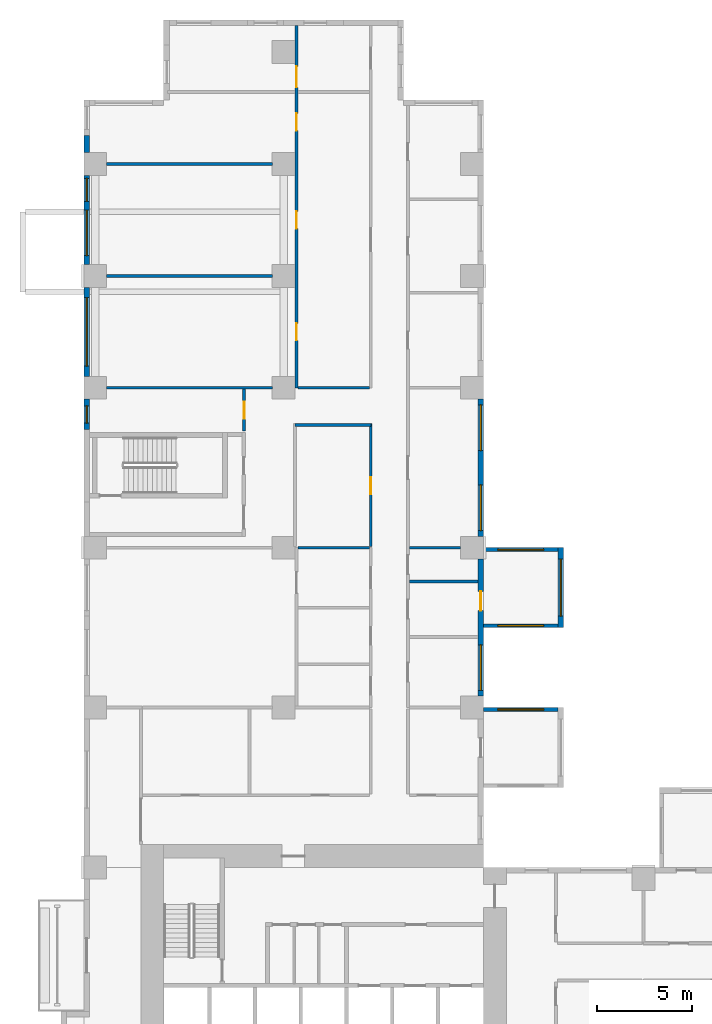
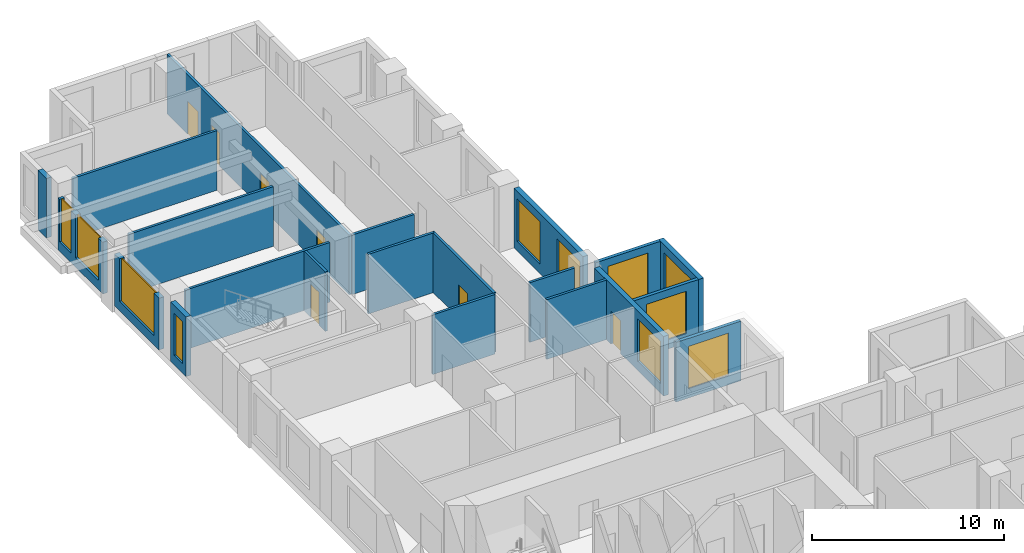
# One storey, part 7 of 15: 21 walls, 11 windows, 7 doors, 18 openings.
"""IFC4 building model written with IfcOpenShell, lengths in metres."""

from ifc_helpers import new_model, si_unit, direction, frame, frame_2d, origin, place, context, subcontext, project, spatial, rectangle, extrude, source, transform, mapped, material, layer, layer_set, type_object, element, fill, save


model = new_model("IFC4")

# Units and contexts
model_context = context("Model", 3, precision=1e-05, world=origin(), true_north=direction((0.0, 1.0)))
body_context = subcontext(model_context, "Body", "Model", "MODEL_VIEW")
ifc_project = project(units=[si_unit("LENGTHUNIT", "METRE"), si_unit("AREAUNIT", "SQUARE_METRE"), si_unit("VOLUMEUNIT", "CUBIC_METRE"), si_unit("PLANEANGLEUNIT", "RADIAN"), si_unit("MASSUNIT", "GRAM", prefix="KILO")], contexts=[model_context])

# Site, building, storey
site_placement = place(None, origin())
site = spatial("IfcSite", under=ifc_project, at=site_placement, CompositionType="ELEMENT")
building_placement = place(site_placement, origin())
building = spatial("IfcBuilding", under=site, at=building_placement, Name="Aurelian Terraces", CompositionType="ELEMENT")
storey_placement = place(building_placement, frame((0.0, 0.0, 65.7)))
storey = spatial("IfcBuildingStorey", under=building, at=storey_placement, Name="L13", CompositionType="ELEMENT", Elevation=65.7)

# Wall
ifc_material_1 = material(Name="Terracotta rainscreen cladding", Category="masonry")
ifc_layer_1 = layer(ifc_material_1, 0.3)
ifc_layer_set_1 = layer_set([ifc_layer_1], Name="EW-300")
wall_type_1 = type_object("IfcWallType", Name="EW-300", PredefinedType="STANDARD", material=ifc_layer_set_1)
wall_1_placement = place(storey_placement, frame((0.15, 59.44, 0.0), z_axis=(0.0, 0.0, 1.0), x_axis=(0.0, -1.0, 0.0)))
element("IfcWall", 1, at=wall_1_placement, inside=storey, type_object=wall_type_1, Name="External wall L13 F14.38", PredefinedType="STANDARD", context=body_context, shape_type="SweptSolid", body=[
    extrude(rectangle(XDim=0.88, YDim=0.3, at=frame_2d((0.44, 0.0))), origin(), (0.0, 0.0, 1.0), 3.8),
])

# Wall, openings, window, door
shared_shape_1 = source(origin(), body_context, "Body", "SweptSolid", [
    extrude(rectangle(XDim=7.2, YDim=0.3, at=frame_2d((3.6, 0.0))), origin(), (0.0, 0.0, 1.0), 3.8),
])
wall_2_placement = place(storey_placement, frame((20.85, 30.0, 0.0), z_axis=(0.0, 0.0, 1.0), x_axis=(0.0, 1.0, 0.0)))
wall_2 = element("IfcWall", 2, at=wall_2_placement, inside=storey, type_object=wall_type_1, Name="External wall L13 F08.25", PredefinedType="STANDARD", context=body_context, shape_type="MappedRepresentation", body=[
    mapped(shared_shape_1, transform((0.0, 0.0, 0.0), scale=1.0)),
])
shared_shape_2 = source(origin(), body_context, "Body", "SweptSolid", [
    extrude(rectangle(XDim=2.4, YDim=2.7, at=frame_2d((1.2, 1.35))), frame((0.0, 0.16, 0.0), z_axis=(0.0, -1.0, 0.0), x_axis=(1.0, 0.0, 0.0)), (0.0, 0.0, 1.0), 0.32),
])
opening_1_placement = place(wall_2_placement, frame((0.3, 0.0, 0.6)))
opening_1 = element("IfcOpeningElement", 3, at=opening_1_placement, cuts=wall_2, Name="Opening W2427", PredefinedType="OPENING", context=body_context, shape_type="MappedRepresentation", body=[
    mapped(shared_shape_2, transform((0.0, 0.0, 0.0), scale=1.0)),
])
shared_shape_3 = source(origin(), body_context, "Body", "SweptSolid", [
    extrude(rectangle(XDim=1.0, YDim=2.1, at=frame_2d((0.5, 1.05))), frame((0.0, 0.16, 0.0), z_axis=(0.0, -1.0, 0.0), x_axis=(1.0, 0.0, 0.0)), (0.0, 0.0, 1.0), 0.32),
])
opening_2_placement = place(wall_2_placement, frame((4.5, 0.0, 0.0)))
opening_2 = element("IfcOpeningElement", 4, at=opening_2_placement, cuts=wall_2, Name="Opening 813004", PredefinedType="OPENING", context=body_context, shape_type="MappedRepresentation", body=[
    mapped(shared_shape_3, transform((0.0, 0.0, 0.0), scale=1.0)),
])
ifc_material_2 = material(Name="Clear glazing", Category="glass")
window_type_1 = type_object("IfcWindowType", Name="W-2400x2700", PartitioningType="SINGLE_PANEL", PredefinedType="WINDOW", material=ifc_material_2)
shared_shape_4 = source(origin(), body_context, "Body", "SweptSolid", [
    extrude(rectangle(XDim=2.4, YDim=2.7, at=frame_2d((1.2, 1.35))), frame((0.0, 0.03, 0.0), z_axis=(0.0, -1.0, 0.0), x_axis=(1.0, 0.0, 0.0)), (0.0, 0.0, 1.0), 0.06),
])
window_1_placement = place(opening_1_placement, origin())
window_1 = element("IfcWindow", 5, at=window_1_placement, inside=storey, type_object=window_type_1, Name="Window L13 L13-F08-25-0", OverallHeight=2.7, OverallWidth=2.4, PartitioningType="SINGLE_PANEL", PredefinedType="WINDOW", context=body_context, shape_type="MappedRepresentation", body=[
    mapped(shared_shape_4, transform((0.0, 0.0, 0.0), scale=1.0)),
])
fill(opening_1, window_1)
ifc_material_3 = material(Name="Timber door leaf", Category="wood")
door_type_1 = type_object("IfcDoorType", Name="Room door 1000x2100 left", OperationType="SINGLE_SWING_LEFT", PredefinedType="DOOR", material=ifc_material_3)
shared_shape_5 = source(origin(), body_context, "Body", "SweptSolid", [
    extrude(rectangle(XDim=1.0, YDim=2.1, at=frame_2d((0.5, 1.05))), frame((0.0, 0.025, 0.0), z_axis=(0.0, -1.0, 0.0), x_axis=(1.0, 0.0, 0.0)), (0.0, 0.0, 1.0), 0.05),
])
door_1_placement = place(opening_2_placement, origin())
door_1 = element("IfcDoor", 6, at=door_1_placement, inside=storey, type_object=door_type_1, Name="Door 813004", OperationType="SINGLE_SWING_LEFT", OverallHeight=2.1, OverallWidth=1.0, PredefinedType="DOOR", context=body_context, shape_type="MappedRepresentation", body=[
    mapped(shared_shape_5, transform((0.0, 0.0, 0.0), scale=1.0)),
])
fill(opening_2, door_1)

# Wall, openings, windows
wall_3_placement = place(storey_placement, frame((20.85, 38.4, 0.0), z_axis=(0.0, 0.0, 1.0), x_axis=(0.0, 1.0, 0.0)))
wall_3 = element("IfcWall", 7, at=wall_3_placement, inside=storey, type_object=wall_type_1, Name="External wall L13 F08.26", PredefinedType="STANDARD", context=body_context, shape_type="MappedRepresentation", body=[
    mapped(shared_shape_1, transform((0.0, 0.0, 0.0), scale=1.0)),
])
opening_3_placement = place(wall_3_placement, frame((0.3, 0.0, 0.6)))
opening_3 = element("IfcOpeningElement", 8, at=opening_3_placement, cuts=wall_3, Name="Opening W2427", PredefinedType="OPENING", context=body_context, shape_type="MappedRepresentation", body=[
    mapped(shared_shape_2, transform((0.0, 0.0, 0.0), scale=1.0)),
])
opening_4_placement = place(wall_3_placement, frame((4.5, 0.0, 0.6)))
opening_4 = element("IfcOpeningElement", 9, at=opening_4_placement, cuts=wall_3, Name="Opening W2427", PredefinedType="OPENING", context=body_context, shape_type="MappedRepresentation", body=[
    mapped(shared_shape_2, transform((0.0, 0.0, 0.0), scale=1.0)),
])
window_2_placement = place(opening_3_placement, origin())
window_2 = element("IfcWindow", 10, at=window_2_placement, inside=storey, type_object=window_type_1, Name="Window L13 L13-F08-26-0", OverallHeight=2.7, OverallWidth=2.4, PartitioningType="SINGLE_PANEL", PredefinedType="WINDOW", context=body_context, shape_type="MappedRepresentation", body=[
    mapped(shared_shape_4, transform((0.0, 0.0, 0.0), scale=1.0)),
])
fill(opening_3, window_2)
window_3_placement = place(opening_4_placement, origin())
window_3 = element("IfcWindow", 11, at=window_3_placement, inside=storey, type_object=window_type_1, Name="Window L13 L13-F08-26-1", OverallHeight=2.7, OverallWidth=2.4, PartitioningType="SINGLE_PANEL", PredefinedType="WINDOW", context=body_context, shape_type="MappedRepresentation", body=[
    mapped(shared_shape_4, transform((0.0, 0.0, 0.0), scale=1.0)),
])
fill(opening_4, window_3)

shared_shape_6 = source(origin(), body_context, "Body", "SweptSolid", [
    extrude(rectangle(XDim=4.68, YDim=0.3, at=frame_2d((2.34, 0.0))), origin(), (0.0, 0.0, 1.0), 3.3),
])
wall_4_placement = place(storey_placement, frame((0.15, 57.36, 0.0), z_axis=(0.0, 0.0, 1.0), x_axis=(0.0, -1.0, 0.0)))
wall_4 = element("IfcWall", 12, at=wall_4_placement, inside=storey, type_object=wall_type_1, Name="External wall L13 F14.38", PredefinedType="STANDARD", context=body_context, shape_type="MappedRepresentation", body=[
    mapped(shared_shape_6, transform((0.0, 0.0, 0.0), scale=1.0)),
])
shared_shape_7 = source(origin(), body_context, "Body", "SweptSolid", [
    extrude(rectangle(XDim=1.2, YDim=2.7, at=frame_2d((0.6, 1.35))), frame((0.0, 0.16, 0.0), z_axis=(0.0, -1.0, 0.0), x_axis=(1.0, 0.0, 0.0)), (0.0, 0.0, 1.0), 0.32),
])
opening_5_placement = place(wall_4_placement, frame((0.165, 0.0, 0.6)))
opening_5 = element("IfcOpeningElement", 13, at=opening_5_placement, cuts=wall_4, Name="Opening W1227", PredefinedType="OPENING", context=body_context, shape_type="MappedRepresentation", body=[
    mapped(shared_shape_7, transform((0.0, 0.0, 0.0), scale=1.0)),
])
opening_6_placement = place(wall_4_placement, frame((1.8225, 0.0, 0.6)))
opening_6 = element("IfcOpeningElement", 14, at=opening_6_placement, cuts=wall_4, Name="Opening W2427", PredefinedType="OPENING", context=body_context, shape_type="MappedRepresentation", body=[
    mapped(shared_shape_2, transform((0.0, 0.0, 0.0), scale=1.0)),
])
window_4_placement = place(opening_6_placement, origin())
window_4 = element("IfcWindow", 15, at=window_4_placement, inside=storey, type_object=window_type_1, Name="Window L13 L13-F14-38-G2-53", OverallHeight=2.7, OverallWidth=2.4, PartitioningType="SINGLE_PANEL", PredefinedType="WINDOW", context=body_context, shape_type="MappedRepresentation", body=[
    mapped(shared_shape_4, transform((0.0, 0.0, 0.0), scale=1.0)),
])
fill(opening_6, window_4)
window_type_2 = type_object("IfcWindowType", Name="W-1200x2700", PartitioningType="SINGLE_PANEL", PredefinedType="WINDOW", material=ifc_material_2)
shared_shape_8 = source(origin(), body_context, "Body", "SweptSolid", [
    extrude(rectangle(XDim=1.2, YDim=2.7, at=frame_2d((0.6, 1.35))), frame((0.0, 0.03, 0.0), z_axis=(0.0, -1.0, 0.0), x_axis=(1.0, 0.0, 0.0)), (0.0, 0.0, 1.0), 0.06),
])
window_5_placement = place(opening_5_placement, origin())
window_5 = element("IfcWindow", 16, at=window_5_placement, inside=storey, type_object=window_type_2, Name="Window L13 L13-F14-38-1", OverallHeight=2.7, OverallWidth=1.2, PartitioningType="SINGLE_PANEL", PredefinedType="WINDOW", context=body_context, shape_type="MappedRepresentation", body=[
    mapped(shared_shape_8, transform((0.0, 0.0, 0.0), scale=1.0)),
])
fill(opening_5, window_5)

# Wall, opening, window
wall_5_placement = place(storey_placement, frame((0.15, 51.48, 0.0), z_axis=(0.0, 0.0, 1.0), x_axis=(0.0, -1.0, 0.0)))
wall_5 = element("IfcWall", 17, at=wall_5_placement, inside=storey, type_object=wall_type_1, Name="External wall L13 F14.38", PredefinedType="STANDARD", context=body_context, shape_type="MappedRepresentation", body=[
    mapped(shared_shape_6, transform((0.0, 0.0, 0.0), scale=1.0)),
])
shared_shape_9 = source(origin(), body_context, "Body", "SweptSolid", [
    extrude(rectangle(XDim=3.6, YDim=2.7, at=frame_2d((1.8, 1.35))), frame((0.0, 0.16, 0.0), z_axis=(0.0, -1.0, 0.0), x_axis=(1.0, 0.0, 0.0)), (0.0, 0.0, 1.0), 0.32),
])
opening_7_placement = place(wall_5_placement, frame((0.54, 0.0, 0.6)))
opening_7 = element("IfcOpeningElement", 18, at=opening_7_placement, cuts=wall_5, Name="Opening W3627", PredefinedType="OPENING", context=body_context, shape_type="MappedRepresentation", body=[
    mapped(shared_shape_9, transform((0.0, 0.0, 0.0), scale=1.0)),
])
window_type_3 = type_object("IfcWindowType", Name="W-3600x2700", PartitioningType="SINGLE_PANEL", PredefinedType="WINDOW", material=ifc_material_2)
shared_shape_10 = source(origin(), body_context, "Body", "SweptSolid", [
    extrude(rectangle(XDim=3.6, YDim=2.7, at=frame_2d((1.8, 1.35))), frame((0.0, 0.03, 0.0), z_axis=(0.0, -1.0, 0.0), x_axis=(1.0, 0.0, 0.0)), (0.0, 0.0, 1.0), 0.06),
])
window_6_placement = place(opening_7_placement, origin())
window_6 = element("IfcWindow", 19, at=window_6_placement, inside=storey, type_object=window_type_3, Name="Window L13 L13-F14-38-P3", OverallHeight=2.7, OverallWidth=3.6, PartitioningType="SINGLE_PANEL", PredefinedType="WINDOW", context=body_context, shape_type="MappedRepresentation", body=[
    mapped(shared_shape_10, transform((0.0, 0.0, 0.0), scale=1.0)),
])
fill(opening_7, window_6)

shared_shape_11 = source(origin(), body_context, "Body", "SweptSolid", [
    extrude(rectangle(XDim=1.6, YDim=0.3, at=frame_2d((0.8, 0.0))), origin(), (0.0, 0.0, 1.0), 3.8),
])
wall_6_placement = place(storey_placement, frame((0.15, 45.6, 0.0), z_axis=(0.0, 0.0, 1.0), x_axis=(0.0, -1.0, 0.0)))
wall_6 = element("IfcWall", 20, at=wall_6_placement, inside=storey, type_object=wall_type_1, Name="External wall L13 F14.38", PredefinedType="STANDARD", context=body_context, shape_type="MappedRepresentation", body=[
    mapped(shared_shape_11, transform((0.0, 0.0, 0.0), scale=1.0)),
])
shared_shape_12 = source(origin(), body_context, "Body", "SweptSolid", [
    extrude(rectangle(XDim=0.9, YDim=2.7, at=frame_2d((0.45, 1.35))), frame((0.0, 0.16, 0.0), z_axis=(0.0, -1.0, 0.0), x_axis=(1.0, 0.0, 0.0)), (0.0, 0.0, 1.0), 0.32),
])
opening_8_placement = place(wall_6_placement, frame((0.35, 0.0, 0.6)))
opening_8 = element("IfcOpeningElement", 21, at=opening_8_placement, cuts=wall_6, Name="Opening W0927", PredefinedType="OPENING", context=body_context, shape_type="MappedRepresentation", body=[
    mapped(shared_shape_12, transform((0.0, 0.0, 0.0), scale=1.0)),
])
window_type_4 = type_object("IfcWindowType", Name="W-900x2700", PartitioningType="SINGLE_PANEL", PredefinedType="WINDOW", material=ifc_material_2)
shared_shape_13 = source(origin(), body_context, "Body", "SweptSolid", [
    extrude(rectangle(XDim=0.9, YDim=2.7, at=frame_2d((0.45, 1.35))), frame((0.0, 0.03, 0.0), z_axis=(0.0, -1.0, 0.0), x_axis=(1.0, 0.0, 0.0)), (0.0, 0.0, 1.0), 0.06),
])
window_7_placement = place(opening_8_placement, origin())
window_7 = element("IfcWindow", 22, at=window_7_placement, inside=storey, type_object=window_type_4, Name="Window L13 L13-F14-38-P4", OverallHeight=2.7, OverallWidth=0.9, PartitioningType="SINGLE_PANEL", PredefinedType="WINDOW", context=body_context, shape_type="MappedRepresentation", body=[
    mapped(shared_shape_13, transform((0.0, 0.0, 0.0), scale=1.0)),
])
fill(opening_8, window_7)

ifc_material_4 = material(Name="Concrete fc' 40 MPa", Category="concrete")
ifc_layer_2 = layer(ifc_material_4, 0.2)
ifc_layer_set_2 = layer_set([ifc_layer_2], Name="BOX BEARING WALL 200")
wall_type_2 = type_object("IfcWallType", Name="BOX BEARING WALL 200", PredefinedType="SOLIDWALL", material=ifc_layer_set_2)
shared_shape_14 = source(origin(), body_context, "Body", "SweptSolid", [
    extrude(rectangle(XDim=3.9, YDim=0.2, at=frame_2d((1.95, 0.0))), origin(), (0.0, 0.0, 1.0), 3.79),
])
wall_7_placement = place(storey_placement, frame((21.0, 33.7, 0.0), z_axis=(0.0, 0.0, 1.0), x_axis=(1.0, 0.0, 0.0)))
wall_7 = element("IfcWall", 23, at=wall_7_placement, inside=storey, type_object=wall_type_2, Name="Box return L13 J14.1", PredefinedType="SOLIDWALL", context=body_context, shape_type="MappedRepresentation", body=[
    mapped(shared_shape_14, transform((0.0, 0.0, 0.0), scale=1.0)),
])
shared_shape_15 = source(origin(), body_context, "Body", "SweptSolid", [
    extrude(rectangle(XDim=2.4, YDim=2.7, at=frame_2d((1.2, 1.35))), frame((0.0, 0.11, 0.0), z_axis=(0.0, -1.0, 0.0), x_axis=(1.0, 0.0, 0.0)), (0.0, 0.0, 1.0), 0.22),
])
opening_9_placement = place(wall_7_placement, frame((0.75, 0.0, 0.6)))
opening_9 = element("IfcOpeningElement", 24, at=opening_9_placement, cuts=wall_7, Name="Opening W2427", PredefinedType="OPENING", context=body_context, shape_type="MappedRepresentation", body=[
    mapped(shared_shape_15, transform((0.0, 0.0, 0.0), scale=1.0)),
])
window_8_placement = place(opening_9_placement, origin())
window_8 = element("IfcWindow", 25, at=window_8_placement, inside=storey, type_object=window_type_1, Name="Window L13 J14-S1", OverallHeight=2.7, OverallWidth=2.4, PartitioningType="SINGLE_PANEL", PredefinedType="WINDOW", context=body_context, shape_type="MappedRepresentation", body=[
    mapped(shared_shape_4, transform((0.0, 0.0, 0.0), scale=1.0)),
])
fill(opening_9, window_8)

wall_8_placement = place(storey_placement, frame((21.0, 37.7, 0.0), z_axis=(0.0, 0.0, 1.0), x_axis=(1.0, 0.0, 0.0)))
wall_8 = element("IfcWall", 26, at=wall_8_placement, inside=storey, type_object=wall_type_2, Name="Box return L13 J14.2", PredefinedType="SOLIDWALL", context=body_context, shape_type="MappedRepresentation", body=[
    mapped(shared_shape_14, transform((0.0, 0.0, 0.0), scale=1.0)),
])
opening_10_placement = place(wall_8_placement, frame((0.75, 0.0, 0.6)))
opening_10 = element("IfcOpeningElement", 27, at=opening_10_placement, cuts=wall_8, Name="Opening W2427", PredefinedType="OPENING", context=body_context, shape_type="MappedRepresentation", body=[
    mapped(shared_shape_15, transform((0.0, 0.0, 0.0), scale=1.0)),
])
window_9_placement = place(opening_10_placement, origin())
window_9 = element("IfcWindow", 28, at=window_9_placement, inside=storey, type_object=window_type_1, Name="Window L13 J14-S2", OverallHeight=2.7, OverallWidth=2.4, PartitioningType="SINGLE_PANEL", PredefinedType="WINDOW", context=body_context, shape_type="MappedRepresentation", body=[
    mapped(shared_shape_4, transform((0.0, 0.0, 0.0), scale=1.0)),
])
fill(opening_10, window_9)

shared_shape_16 = source(origin(), body_context, "Body", "SweptSolid", [
    extrude(rectangle(XDim=3.9, YDim=0.2, at=frame_2d((1.95, 0.0))), origin(), (0.0, 0.0, 1.0), 3.8),
])
wall_9_placement = place(storey_placement, frame((21.0, 29.3, 0.0), z_axis=(0.0, 0.0, 1.0), x_axis=(1.0, 0.0, 0.0)))
wall_9 = element("IfcWall", 29, at=wall_9_placement, inside=storey, type_object=wall_type_2, Name="Box return L13 J11.2", PredefinedType="SOLIDWALL", context=body_context, shape_type="MappedRepresentation", body=[
    mapped(shared_shape_16, transform((0.0, 0.0, 0.0), scale=1.0)),
])
opening_11_placement = place(wall_9_placement, frame((0.75, 0.0, 0.6)))
opening_11 = element("IfcOpeningElement", 30, at=opening_11_placement, cuts=wall_9, Name="Opening W2427", PredefinedType="OPENING", context=body_context, shape_type="MappedRepresentation", body=[
    mapped(shared_shape_15, transform((0.0, 0.0, 0.0), scale=1.0)),
])
window_10_placement = place(opening_11_placement, origin())
window_10 = element("IfcWindow", 31, at=window_10_placement, inside=storey, type_object=window_type_1, Name="Window L13 J11-S2", OverallHeight=2.7, OverallWidth=2.4, PartitioningType="SINGLE_PANEL", PredefinedType="WINDOW", context=body_context, shape_type="MappedRepresentation", body=[
    mapped(shared_shape_4, transform((0.0, 0.0, 0.0), scale=1.0)),
])
fill(opening_11, window_10)

ifc_layer_3 = layer(ifc_material_4, 0.3)
ifc_layer_set_3 = layer_set([ifc_layer_3], Name="BOX BEARING WALL 300")
wall_type_3 = type_object("IfcWallType", Name="BOX BEARING WALL 300", PredefinedType="SOLIDWALL", material=ifc_layer_set_3)
shared_shape_17 = source(origin(), body_context, "Body", "SweptSolid", [
    extrude(rectangle(XDim=4.2, YDim=0.3, at=frame_2d((2.1, 0.0))), origin(), (0.0, 0.0, 1.0), 3.79),
])
wall_10_placement = place(storey_placement, frame((25.05, 33.6, 0.0), z_axis=(0.0, 0.0, 1.0), x_axis=(0.0, 1.0, 0.0)))
wall_10 = element("IfcWall", 32, at=wall_10_placement, inside=storey, type_object=wall_type_3, Name="Box wall L13 J14", PredefinedType="SOLIDWALL", context=body_context, shape_type="MappedRepresentation", body=[
    mapped(shared_shape_17, transform((0.0, 0.0, 0.0), scale=1.0)),
])
shared_shape_18 = source(origin(), body_context, "Body", "SweptSolid", [
    extrude(rectangle(XDim=3.0, YDim=2.7, at=frame_2d((1.5, 1.35))), frame((0.0, 0.16, 0.0), z_axis=(0.0, -1.0, 0.0), x_axis=(1.0, 0.0, 0.0)), (0.0, 0.0, 1.0), 0.32),
])
opening_12_placement = place(wall_10_placement, frame((0.6, 0.0, 0.6)))
opening_12 = element("IfcOpeningElement", 33, at=opening_12_placement, cuts=wall_10, Name="Opening W3027", PredefinedType="OPENING", context=body_context, shape_type="MappedRepresentation", body=[
    mapped(shared_shape_18, transform((0.0, 0.0, 0.0), scale=1.0)),
])
window_type_5 = type_object("IfcWindowType", Name="W-3000x2700", PartitioningType="SINGLE_PANEL", PredefinedType="WINDOW", material=ifc_material_2)
shared_shape_19 = source(origin(), body_context, "Body", "SweptSolid", [
    extrude(rectangle(XDim=3.0, YDim=2.7, at=frame_2d((1.5, 1.35))), frame((0.0, 0.03, 0.0), z_axis=(0.0, -1.0, 0.0), x_axis=(1.0, 0.0, 0.0)), (0.0, 0.0, 1.0), 0.06),
])
window_11_placement = place(opening_12_placement, origin())
window_11 = element("IfcWindow", 34, at=window_11_placement, inside=storey, type_object=window_type_5, Name="Window L13 J14-F1", OverallHeight=2.7, OverallWidth=3.0, PartitioningType="SINGLE_PANEL", PredefinedType="WINDOW", context=body_context, shape_type="MappedRepresentation", body=[
    mapped(shared_shape_19, transform((0.0, 0.0, 0.0), scale=1.0)),
])
fill(opening_12, window_11)

# Wall, opening, door
ifc_material_5 = material(Name="Gypsum board on steel studs", Category="steel")
ifc_layer_4 = layer(ifc_material_5, 0.15)
ifc_layer_set_4 = layer_set([ifc_layer_4], Name="Fire partition 150")
wall_type_4 = type_object("IfcWallType", Name="Fire partition 150", PredefinedType="PARTITIONING", material=ifc_layer_set_4)
shared_shape_20 = source(origin(), body_context, "Body", "SweptSolid", [
    extrude(rectangle(XDim=6.45, YDim=0.15, at=frame_2d((3.225, 0.0))), origin(), (0.0, 0.0, 1.0), 3.8),
])
wall_11_placement = place(storey_placement, frame((15.075, 37.875, 0.0), z_axis=(0.0, 0.0, 1.0), x_axis=(0.0, 1.0, 0.0)))
wall_11 = element("IfcWall", 35, at=wall_11_placement, inside=storey, type_object=wall_type_4, Name="Corridor wall", PredefinedType="PARTITIONING", context=body_context, shape_type="MappedRepresentation", body=[
    mapped(shared_shape_20, transform((0.0, 0.0, 0.0), scale=1.0)),
])
shared_shape_21 = source(origin(), body_context, "Body", "SweptSolid", [
    extrude(rectangle(XDim=0.9, YDim=2.1, at=frame_2d((0.45, 1.05))), frame((0.0, 0.085, 0.0), z_axis=(0.0, -1.0, 0.0), x_axis=(1.0, 0.0, 0.0)), (0.0, 0.0, 1.0), 0.17),
])
opening_13_placement = place(wall_11_placement, frame((2.7375, 0.0, 0.0)))
opening_13 = element("IfcOpeningElement", 36, at=opening_13_placement, cuts=wall_11, Name="Opening 713034", PredefinedType="OPENING", context=body_context, shape_type="MappedRepresentation", body=[
    mapped(shared_shape_21, transform((0.0, 0.0, 0.0), scale=1.0)),
])
door_type_2 = type_object("IfcDoorType", Name="Room door 900x2100 left", OperationType="SINGLE_SWING_LEFT", PredefinedType="DOOR", material=ifc_material_3)
shared_shape_22 = source(origin(), body_context, "Body", "SweptSolid", [
    extrude(rectangle(XDim=0.9, YDim=2.1, at=frame_2d((0.45, 1.05))), frame((0.0, 0.025, 0.0), z_axis=(0.0, -1.0, 0.0), x_axis=(1.0, 0.0, 0.0)), (0.0, 0.0, 1.0), 0.05),
])
door_2_placement = place(opening_13_placement, origin())
door_2 = element("IfcDoor", 37, at=door_2_placement, inside=storey, type_object=door_type_2, Name="Door 713034", OperationType="SINGLE_SWING_LEFT", OverallHeight=2.1, OverallWidth=0.9, PredefinedType="DOOR", context=body_context, shape_type="MappedRepresentation", body=[
    mapped(shared_shape_22, transform((0.0, 0.0, 0.0), scale=1.0)),
])
fill(opening_13, door_2)

# Walls
ifc_layer_5 = layer(ifc_material_5, 0.15)
ifc_layer_set_5 = layer_set([ifc_layer_5], Name="Partition 150")
wall_type_5 = type_object("IfcWallType", Name="Partition 150", PredefinedType="PARTITIONING", material=ifc_layer_set_5)
shared_shape_23 = source(origin(), body_context, "Body", "SweptSolid", [
    extrude(rectangle(XDim=3.75, YDim=0.15, at=frame_2d((1.875, 0.0))), origin(), (0.0, 0.0, 1.0), 3.8),
])
for number, where, z_axis, x_axis, name in (
    (38, (15.0, 37.8, 0.0), (0.0, 0.0, 1.0), (-1.0, 0.0, 0.0), "Partition"),
    (39, (15.0, 46.2, 0.0), (0.0, 0.0, 1.0), (-1.0, 0.0, 0.0), "Partition"),
):
    element("IfcWall", number, at=place(storey_placement, frame(where, z_axis=z_axis, x_axis=x_axis)), inside=storey, type_object=wall_type_5, Name=name, PredefinedType="PARTITIONING", context=body_context, shape_type="MappedRepresentation", body=[
        mapped(shared_shape_23, transform((0.0, 0.0, 0.0), scale=1.0)),
    ])
shared_shape_24 = source(origin(), body_context, "Body", "SweptSolid", [
    extrude(rectangle(XDim=8.702, YDim=0.15, at=frame_2d((4.351, 0.0))), origin(), (0.0, 0.0, 1.0), 3.8),
])
for number, where, z_axis, x_axis, name in (
    (40, (9.901, 52.08, 0.0), (0.0, 0.0, 1.0), (-1.0, 0.0, 0.0), "Partition"),
    (41, (9.901, 57.96, 0.0), (0.0, 0.0, 1.0), (-1.0, 0.0, 0.0), "Partition"),
    (42, (9.901, 46.2, 0.0), (0.0, 0.0, 1.0), (-1.0, 0.0, 0.0), "Partition"),
):
    element("IfcWall", number, at=place(storey_placement, frame(where, z_axis=z_axis, x_axis=x_axis)), inside=storey, type_object=wall_type_5, Name=name, PredefinedType="PARTITIONING", context=body_context, shape_type="MappedRepresentation", body=[
        mapped(shared_shape_24, transform((0.0, 0.0, 0.0), scale=1.0)),
    ])
shared_shape_25 = source(origin(), body_context, "Body", "SweptSolid", [
    extrude(rectangle(XDim=3.6, YDim=0.15, at=frame_2d((1.8, 0.0))), origin(), (0.0, 0.0, 1.0), 3.8),
])
wall_12_placement = place(storey_placement, frame((17.1, 36.024, 0.0), z_axis=(0.0, 0.0, 1.0), x_axis=(1.0, 0.0, 0.0)))
element("IfcWall", 43, at=wall_12_placement, inside=storey, type_object=wall_type_5, Name="Partition", PredefinedType="PARTITIONING", context=body_context, shape_type="MappedRepresentation", body=[
    mapped(shared_shape_25, transform((0.0, 0.0, 0.0), scale=1.0)),
])
shared_shape_26 = source(origin(), body_context, "Body", "SweptSolid", [
    extrude(rectangle(XDim=2.701, YDim=0.15, at=frame_2d((1.3505, 0.0))), origin(), (0.0, 0.0, 1.0), 3.8),
])
wall_13_placement = place(storey_placement, frame((19.801, 37.8, 0.0), z_axis=(0.0, 0.0, 1.0), x_axis=(-1.0, 0.0, 0.0)))
element("IfcWall", 44, at=wall_13_placement, inside=storey, type_object=wall_type_5, Name="Partition", PredefinedType="PARTITIONING", context=body_context, shape_type="MappedRepresentation", body=[
    mapped(shared_shape_26, transform((0.0, 0.0, 0.0), scale=1.0)),
])

# Wall, opening, door
shared_shape_27 = source(origin(), body_context, "Body", "SweptSolid", [
    extrude(rectangle(XDim=2.2, YDim=0.15, at=frame_2d((1.1, 0.0))), origin(), (0.0, 0.0, 1.0), 3.8),
])
wall_14_placement = place(storey_placement, frame((8.425, 43.925, 0.0), z_axis=(0.0, 0.0, 1.0), x_axis=(0.0, 1.0, 0.0)))
wall_14 = element("IfcWall", 45, at=wall_14_placement, inside=storey, type_object=wall_type_5, Name="Partition", PredefinedType="PARTITIONING", context=body_context, shape_type="MappedRepresentation", body=[
    mapped(shared_shape_27, transform((0.0, 0.0, 0.0), scale=1.0)),
])
opening_14_placement = place(wall_14_placement, frame((0.65, 0.0, 0.0)))
opening_14 = element("IfcOpeningElement", 46, at=opening_14_placement, cuts=wall_14, Name="Opening 713035", PredefinedType="OPENING", context=body_context, shape_type="MappedRepresentation", body=[
    mapped(shared_shape_21, transform((0.0, 0.0, 0.0), scale=1.0)),
])
door_3_placement = place(opening_14_placement, origin())
door_3 = element("IfcDoor", 47, at=door_3_placement, inside=storey, type_object=door_type_2, Name="Door 713035", OperationType="SINGLE_SWING_LEFT", OverallHeight=2.1, OverallWidth=0.9, PredefinedType="DOOR", context=body_context, shape_type="MappedRepresentation", body=[
    mapped(shared_shape_22, transform((0.0, 0.0, 0.0), scale=1.0)),
])
fill(opening_14, door_3)

# Wall
shared_shape_28 = source(origin(), body_context, "Body", "SweptSolid", [
    extrude(rectangle(XDim=3.975, YDim=0.15, at=frame_2d((1.9875, 0.0))), origin(), (0.0, 0.0, 1.0), 3.8),
])
wall_15_placement = place(storey_placement, frame((15.075, 44.25, 0.0), z_axis=(0.0, 0.0, 1.0), x_axis=(-1.0, 0.0, 0.0)))
element("IfcWall", 48, at=wall_15_placement, inside=storey, type_object=wall_type_5, Name="Partition", PredefinedType="PARTITIONING", context=body_context, shape_type="MappedRepresentation", body=[
    mapped(shared_shape_28, transform((0.0, 0.0, 0.0), scale=1.0)),
])

# Wall, openings, doors
shared_shape_29 = source(origin(), body_context, "Body", "SweptSolid", [
    extrude(rectangle(XDim=19.02, YDim=0.15, at=frame_2d((9.51, 0.0))), origin(), (0.0, 0.0, 1.0), 3.8),
])
wall_16_placement = place(storey_placement, frame((11.175, 46.2, 0.0), z_axis=(0.0, 0.0, 1.0), x_axis=(0.0, 1.0, 0.0)))
wall_16 = element("IfcWall", 49, at=wall_16_placement, inside=storey, type_object=wall_type_5, Name="Partition", PredefinedType="PARTITIONING", context=body_context, shape_type="MappedRepresentation", body=[
    mapped(shared_shape_29, transform((0.0, 0.0, 0.0), scale=1.0)),
])
opening_15_placement = place(wall_16_placement, frame((2.4875, 0.0, 0.0)))
opening_15 = element("IfcOpeningElement", 50, at=opening_15_placement, cuts=wall_16, Name="Opening 713041", PredefinedType="OPENING", context=body_context, shape_type="MappedRepresentation", body=[
    mapped(shared_shape_21, transform((0.0, 0.0, 0.0), scale=1.0)),
])
opening_16_placement = place(wall_16_placement, frame((8.3675, 0.0, 0.0)))
opening_16 = element("IfcOpeningElement", 51, at=opening_16_placement, cuts=wall_16, Name="Opening 713042", PredefinedType="OPENING", context=body_context, shape_type="MappedRepresentation", body=[
    mapped(shared_shape_21, transform((0.0, 0.0, 0.0), scale=1.0)),
])
opening_17_placement = place(wall_16_placement, frame((13.5125, 0.0, 0.0)))
opening_17 = element("IfcOpeningElement", 52, at=opening_17_placement, cuts=wall_16, Name="Opening 713043", PredefinedType="OPENING", context=body_context, shape_type="MappedRepresentation", body=[
    mapped(shared_shape_21, transform((0.0, 0.0, 0.0), scale=1.0)),
])
shared_shape_30 = source(origin(), body_context, "Body", "SweptSolid", [
    extrude(rectangle(XDim=1.1, YDim=2.1, at=frame_2d((0.55, 1.05))), frame((0.0, 0.085, 0.0), z_axis=(0.0, -1.0, 0.0), x_axis=(1.0, 0.0, 0.0)), (0.0, 0.0, 1.0), 0.17),
])
opening_18_placement = place(wall_16_placement, frame((15.7775, 0.0, 0.0)))
opening_18 = element("IfcOpeningElement", 53, at=opening_18_placement, cuts=wall_16, Name="Opening 713045", PredefinedType="OPENING", context=body_context, shape_type="MappedRepresentation", body=[
    mapped(shared_shape_30, transform((0.0, 0.0, 0.0), scale=1.0)),
])
door_4_placement = place(opening_15_placement, origin())
door_4 = element("IfcDoor", 54, at=door_4_placement, inside=storey, type_object=door_type_2, Name="Door 713041", OperationType="SINGLE_SWING_LEFT", OverallHeight=2.1, OverallWidth=0.9, PredefinedType="DOOR", context=body_context, shape_type="MappedRepresentation", body=[
    mapped(shared_shape_22, transform((0.0, 0.0, 0.0), scale=1.0)),
])
fill(opening_15, door_4)
door_type_3 = type_object("IfcDoorType", Name="Room door 900x2100 right", OperationType="SINGLE_SWING_RIGHT", PredefinedType="DOOR", material=ifc_material_3)
door_5_placement = place(opening_16_placement, origin())
door_5 = element("IfcDoor", 55, at=door_5_placement, inside=storey, type_object=door_type_3, Name="Door 713042", OperationType="SINGLE_SWING_RIGHT", OverallHeight=2.1, OverallWidth=0.9, PredefinedType="DOOR", context=body_context, shape_type="MappedRepresentation", body=[
    mapped(shared_shape_22, transform((0.0, 0.0, 0.0), scale=1.0)),
])
fill(opening_16, door_5)
door_6_placement = place(opening_17_placement, origin())
door_6 = element("IfcDoor", 56, at=door_6_placement, inside=storey, type_object=door_type_2, Name="Door 713043", OperationType="SINGLE_SWING_LEFT", OverallHeight=2.1, OverallWidth=0.9, PredefinedType="DOOR", context=body_context, shape_type="MappedRepresentation", body=[
    mapped(shared_shape_22, transform((0.0, 0.0, 0.0), scale=1.0)),
])
fill(opening_17, door_6)
door_type_4 = type_object("IfcDoorType", Name="Room door 1100x2100 left", OperationType="SINGLE_SWING_LEFT", PredefinedType="DOOR", material=ifc_material_3)
shared_shape_31 = source(origin(), body_context, "Body", "SweptSolid", [
    extrude(rectangle(XDim=1.1, YDim=2.1, at=frame_2d((0.55, 1.05))), frame((0.0, 0.025, 0.0), z_axis=(0.0, -1.0, 0.0), x_axis=(1.0, 0.0, 0.0)), (0.0, 0.0, 1.0), 0.05),
])
door_7_placement = place(opening_18_placement, origin())
door_7 = element("IfcDoor", 57, at=door_7_placement, inside=storey, type_object=door_type_4, Name="Door 713045", OperationType="SINGLE_SWING_LEFT", OverallHeight=2.1, OverallWidth=1.1, PredefinedType="DOOR", context=body_context, shape_type="MappedRepresentation", body=[
    mapped(shared_shape_31, transform((0.0, 0.0, 0.0), scale=1.0)),
])
fill(opening_18, door_7)

save(model, "model.ifc")
